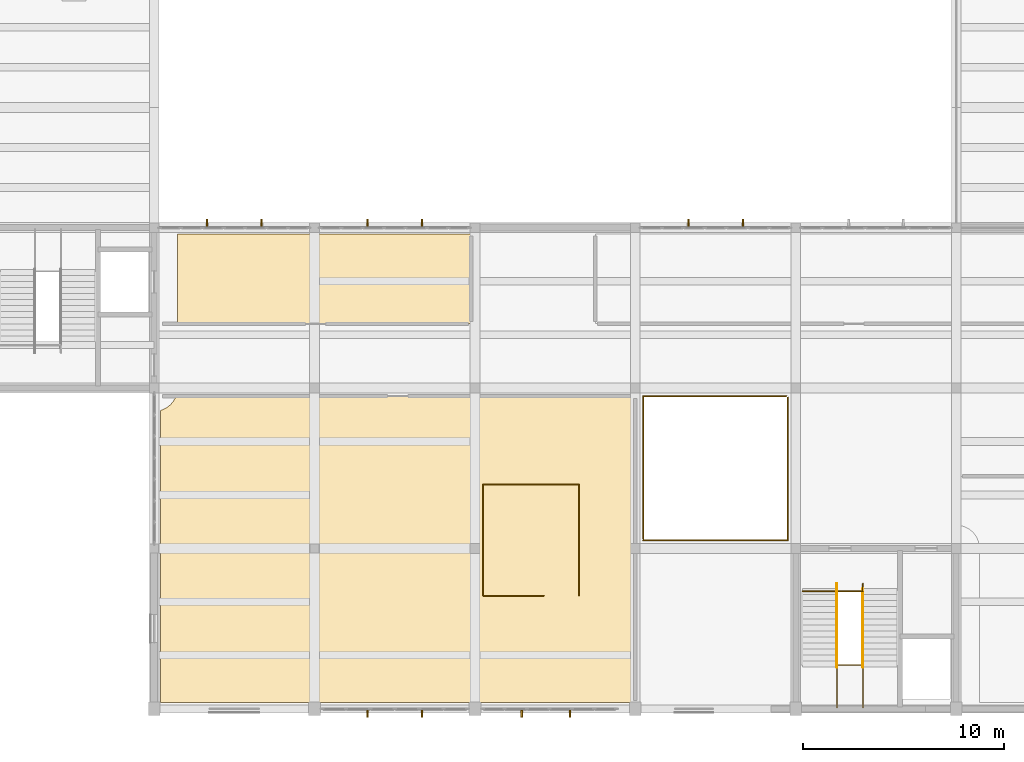
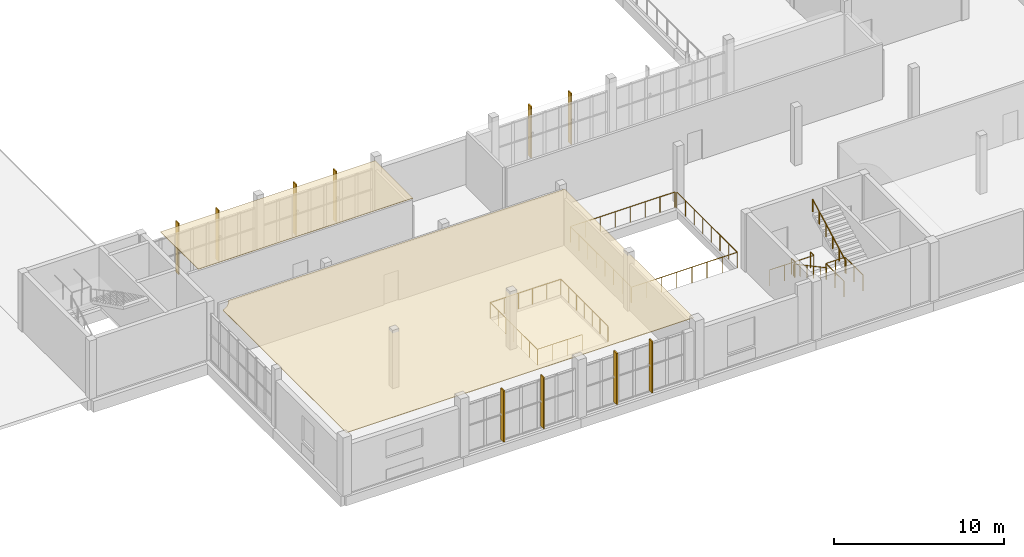
# One storey, part 64 of 70: 10 shading devices, 8 railings, 2 coverings.
"""IFC4 building model written with IfcOpenShell, lengths in metres."""

from ifc_helpers import new_model, si_unit, direction, frame, origin, origin_2d, place, context, subcontext, project, spatial, polyline, rectangle, circle, outline, extrude, material, layer, layer_set, type_object, element, save


model = new_model("IFC4")

# Units and contexts
model_context = context("Model", 3, precision=1e-05, world=origin(), true_north=direction((0.0, 1.0)))
body_context = subcontext(model_context, "Body", "Model", "MODEL_VIEW")
ifc_project = project(units=[si_unit("LENGTHUNIT", "METRE"), si_unit("AREAUNIT", "SQUARE_METRE"), si_unit("VOLUMEUNIT", "CUBIC_METRE"), si_unit("PLANEANGLEUNIT", "RADIAN"), si_unit("MASSUNIT", "GRAM", prefix="KILO")], contexts=[model_context])

# Site, building, storey
site_placement = place(None, origin())
site = spatial("IfcSite", under=ifc_project, at=site_placement, CompositionType="ELEMENT")
building_placement = place(site_placement, origin())
building = spatial("IfcBuilding", under=site, at=building_placement, Name="Solvane Community Centre", CompositionType="ELEMENT")
storey_placement = place(building_placement, frame((0.0, 0.0, 9.60009765625)))
storey = spatial("IfcBuildingStorey", under=building, at=storey_placement, Name="L02", CompositionType="ELEMENT", Elevation=9.60009765625)

# Coverings
ifc_material_1 = material(Name="Acoustic timber slat ceiling", Category="wood")
ifc_layer = layer(ifc_material_1, 0.0400390625)
ifc_layer_set = layer_set([ifc_layer], Name="Acoustic timber slat ceiling")
covering_type = type_object("IfcCoveringType", Name="Acoustic Timber Slat Suspended Ceiling", PredefinedType="CEILING", material=ifc_layer_set)
covering_1_placement = place(storey_placement, frame((0.0, 0.0, 3.954833984375)))
element("IfcCovering", 1, at=covering_1_placement, inside=storey, type_object=covering_type, Name="Acoustic Ceiling L02-01", PredefinedType="CEILING", context=body_context, shape_type="SweptSolid", body=[
    extrude(outline(polyline([(91.97998046875, 21.580078125), (91.97998046875, 6.320068359375), (68.320068359375, 6.320068359375), (68.320068359375, 20.885986328125), (68.38330078125, 20.9052734375), (68.398193359375, 20.91064453125), (68.48876953125, 20.9482421875), (68.5029296875, 20.954833984375), (68.589599609375, 21.001220703125), (68.60302734375, 21.00927734375), (68.6845703125, 21.063720703125), (68.697265625, 21.072998046875), (68.773193359375, 21.135498046875), (68.78466796875, 21.14599609375), (68.85400390625, 21.21533203125), (68.864501953125, 21.226806640625), (68.927001953125, 21.302734375), (68.936279296875, 21.3154296875), (68.99072265625, 21.39697265625), (68.998779296875, 21.410400390625), (69.045166015625, 21.4970703125), (69.0517578125, 21.51123046875), (69.080322265625, 21.580078125), (91.97998046875, 21.580078125)])), origin(), (0.0, 0.0, 1.0), 0.0400390625),
])
covering_2_placement = place(storey_placement, frame((0.0, 0.0, 3.954833984375)))
element("IfcCovering", 2, at=covering_2_placement, inside=storey, type_object=covering_type, Name="Acoustic Ceiling L02-05", PredefinedType="CEILING", context=body_context, shape_type="SweptSolid", body=[
    extrude(outline(polyline([(83.780029296875, 29.679931640625), (83.780029296875, 25.219970703125), (69.159912109375, 25.219970703125), (69.159912109375, 29.679931640625), (83.780029296875, 29.679931640625)])), origin(), (0.0, 0.0, 1.0), 0.0400390625),
])

# Shading devices
ifc_material_2 = material(Name="Anodised bronze aluminium AW-6063 T6", Category="aluminium")
shading_device_type = type_object("IfcShadingDeviceType", Name="Art Deco Bronze Solar Fin 80x360", PredefinedType="USERDEFINED", material=ifc_material_2)
shading_device_1_placement = place(storey_placement, frame((88.741455078125, 5.760009765625, 0.14990234375), z_axis=(0.0, 0.0, 1.0), x_axis=(-1.0, 0.0, 0.0)))
element("IfcShadingDevice", 3, at=shading_device_1_placement, inside=storey, type_object=shading_device_type, Name="Solar Brise-Soleil Fin 75", ObjectType="Solar Brise-Soleil Fin 75", PredefinedType="USERDEFINED", context=body_context, shape_type="SweptSolid", body=[
    extrude(rectangle(XDim=0.080078125, YDim=0.360107421875, at=origin_2d()), origin(), (0.0, 0.0, 1.0), 3.679931640625),
])
shading_device_2_placement = place(storey_placement, frame((86.33544921875, 5.760009765625, 0.14990234375), z_axis=(0.0, 0.0, 1.0), x_axis=(-1.0, 0.0, 0.0)))
element("IfcShadingDevice", 4, at=shading_device_2_placement, inside=storey, type_object=shading_device_type, Name="Solar Brise-Soleil Fin 76", ObjectType="Solar Brise-Soleil Fin 76", PredefinedType="USERDEFINED", context=body_context, shape_type="SweptSolid", body=[
    extrude(rectangle(XDim=0.080078125, YDim=0.360107421875, at=origin_2d()), origin(), (0.0, 0.0, 1.0), 3.679931640625),
])
shading_device_3_placement = place(storey_placement, frame((81.360107421875, 5.760009765625, 0.14990234375), z_axis=(0.0, 0.0, 1.0), x_axis=(-1.0, 0.0, 0.0)))
element("IfcShadingDevice", 5, at=shading_device_3_placement, inside=storey, type_object=shading_device_type, Name="Solar Brise-Soleil Fin 77", ObjectType="Solar Brise-Soleil Fin 77", PredefinedType="USERDEFINED", context=body_context, shape_type="SweptSolid", body=[
    extrude(rectangle(XDim=0.080078125, YDim=0.360107421875, at=origin_2d()), origin(), (0.0, 0.0, 1.0), 3.679931640625),
])
shading_device_4_placement = place(storey_placement, frame((78.639892578125, 5.760009765625, 0.14990234375), z_axis=(0.0, 0.0, 1.0), x_axis=(-1.0, 0.0, 0.0)))
element("IfcShadingDevice", 6, at=shading_device_4_placement, inside=storey, type_object=shading_device_type, Name="Solar Brise-Soleil Fin 78", ObjectType="Solar Brise-Soleil Fin 78", PredefinedType="USERDEFINED", context=body_context, shape_type="SweptSolid", body=[
    extrude(rectangle(XDim=0.080078125, YDim=0.360107421875, at=origin_2d()), origin(), (0.0, 0.0, 1.0), 3.679931640625),
])
shading_device_5_placement = place(storey_placement, frame((70.639892578125, 30.239990234375, 0.14990234375), z_axis=(0.0, 0.0, 1.0), x_axis=(1.0, 0.0, 0.0)))
element("IfcShadingDevice", 7, at=shading_device_5_placement, inside=storey, type_object=shading_device_type, Name="Solar Brise-Soleil Fin 79", ObjectType="Solar Brise-Soleil Fin 79", PredefinedType="USERDEFINED", context=body_context, shape_type="SweptSolid", body=[
    extrude(rectangle(XDim=0.080078125, YDim=0.360107421875, at=origin_2d()), origin(), (0.0, 0.0, 1.0), 3.679931640625),
])
shading_device_6_placement = place(storey_placement, frame((73.360107421875, 30.239990234375, 0.14990234375), z_axis=(0.0, 0.0, 1.0), x_axis=(1.0, 0.0, 0.0)))
element("IfcShadingDevice", 8, at=shading_device_6_placement, inside=storey, type_object=shading_device_type, Name="Solar Brise-Soleil Fin 80", ObjectType="Solar Brise-Soleil Fin 80", PredefinedType="USERDEFINED", context=body_context, shape_type="SweptSolid", body=[
    extrude(rectangle(XDim=0.080078125, YDim=0.360107421875, at=origin_2d()), origin(), (0.0, 0.0, 1.0), 3.679931640625),
])
shading_device_7_placement = place(storey_placement, frame((78.639892578125, 30.239990234375, 0.14990234375), z_axis=(0.0, 0.0, 1.0), x_axis=(1.0, 0.0, 0.0)))
element("IfcShadingDevice", 9, at=shading_device_7_placement, inside=storey, type_object=shading_device_type, Name="Solar Brise-Soleil Fin 81", ObjectType="Solar Brise-Soleil Fin 81", PredefinedType="USERDEFINED", context=body_context, shape_type="SweptSolid", body=[
    extrude(rectangle(XDim=0.080078125, YDim=0.360107421875, at=origin_2d()), origin(), (0.0, 0.0, 1.0), 3.679931640625),
])
shading_device_8_placement = place(storey_placement, frame((81.360107421875, 30.239990234375, 0.14990234375), z_axis=(0.0, 0.0, 1.0), x_axis=(1.0, 0.0, 0.0)))
element("IfcShadingDevice", 10, at=shading_device_8_placement, inside=storey, type_object=shading_device_type, Name="Solar Brise-Soleil Fin 82", ObjectType="Solar Brise-Soleil Fin 82", PredefinedType="USERDEFINED", context=body_context, shape_type="SweptSolid", body=[
    extrude(rectangle(XDim=0.080078125, YDim=0.360107421875, at=origin_2d()), origin(), (0.0, 0.0, 1.0), 3.679931640625),
])
shading_device_9_placement = place(storey_placement, frame((94.639892578125, 30.239990234375, 0.14990234375), z_axis=(0.0, 0.0, 1.0), x_axis=(1.0, 0.0, 0.0)))
element("IfcShadingDevice", 11, at=shading_device_9_placement, inside=storey, type_object=shading_device_type, Name="Solar Brise-Soleil Fin 83", ObjectType="Solar Brise-Soleil Fin 83", PredefinedType="USERDEFINED", context=body_context, shape_type="SweptSolid", body=[
    extrude(rectangle(XDim=0.080078125, YDim=0.360107421875, at=origin_2d()), origin(), (0.0, 0.0, 1.0), 3.679931640625),
])
shading_device_10_placement = place(storey_placement, frame((97.360107421875, 30.239990234375, 0.14990234375), z_axis=(0.0, 0.0, 1.0), x_axis=(1.0, 0.0, 0.0)))
element("IfcShadingDevice", 12, at=shading_device_10_placement, inside=storey, type_object=shading_device_type, Name="Solar Brise-Soleil Fin 84", ObjectType="Solar Brise-Soleil Fin 84", PredefinedType="USERDEFINED", context=body_context, shape_type="SweptSolid", body=[
    extrude(rectangle(XDim=0.080078125, YDim=0.360107421875, at=origin_2d()), origin(), (0.0, 0.0, 1.0), 3.679931640625),
])

# Railings
railing_type_1 = type_object("IfcRailingType", Name="Interior Gallery & Stair Well Guard 1150mm", PredefinedType="BALUSTRADE", material=ifc_material_2)
railing_1_placement = place(storey_placement, frame((102.050048828125, 6.06005859375, 2.099853515625)))
element("IfcRailing", 13, at=railing_1_placement, inside=storey, type_object=railing_type_1, Name="Railing GR-L02-030", PredefinedType="BALUSTRADE", context=body_context, shape_type="SweptSolid", body=[
    extrude(circle(Radius=0.02392578125, at=origin_2d()), frame((0.0, 0.0, 1.1259765625), z_axis=(0.0, 1.0, 0.0), x_axis=(-1.0, 0.0, 0.0)), (0.0, 0.0, 1.0), 2.119873046875),
    extrude(circle(Radius=0.02392578125, at=origin_2d()), frame((0.0, 2.119873046875, 1.1259765625), z_axis=(1.0, 0.0, 0.0), x_axis=(0.0, 1.0, 0.0)), (0.0, 0.0, 1.0), 1.300048828125),
    extrude(circle(Radius=0.02392578125, at=origin_2d()), frame((1.300048828125, 2.119873046875, 1.1259765625), z_axis=(0.0, -1.0, 0.0), x_axis=(1.0, 0.0, 0.0)), (0.0, 0.0, 1.0), 2.119873046875),
    extrude(circle(Radius=0.02099609375, at=origin_2d()), origin(), (0.0, 0.0, 1.0), 1.101806640625),
    extrude(circle(Radius=0.02099609375, at=origin_2d()), frame((0.0, 1.06005859375, 0.0)), (0.0, 0.0, 1.0), 1.101806640625),
    extrude(circle(Radius=0.02099609375, at=origin_2d()), frame((0.0, 2.119873046875, 0.0)), (0.0, 0.0, 1.0), 1.101806640625),
    extrude(circle(Radius=0.02099609375, at=origin_2d()), frame((0.64990234375, 2.119873046875, 0.0)), (0.0, 0.0, 1.0), 1.101806640625),
    extrude(circle(Radius=0.02099609375, at=origin_2d()), frame((1.300048828125, 2.119873046875, 0.0)), (0.0, 0.0, 1.0), 1.101806640625),
    extrude(circle(Radius=0.02099609375, at=origin_2d()), frame((1.300048828125, 1.06005859375, 0.0)), (0.0, 0.0, 1.0), 1.101806640625),
    extrude(circle(Radius=0.02099609375, at=origin_2d()), frame((1.300048828125, 0.0, 0.0)), (0.0, 0.0, 1.0), 1.101806640625),
])
railing_2_placement = place(storey_placement, frame((100.340087890625, 11.860107421875, 0.0)))
element("IfcRailing", 14, at=railing_2_placement, inside=storey, type_object=railing_type_1, Name="Railing GR-L02-031", PredefinedType="BALUSTRADE", context=body_context, shape_type="SweptSolid", body=[
    extrude(circle(Radius=0.02392578125, at=origin_2d()), frame((0.0, 0.0, 1.1259765625), z_axis=(1.0, 0.0, 0.0), x_axis=(0.0, 1.0, 0.0)), (0.0, 0.0, 1.0), 3.010009765625),
    extrude(circle(Radius=0.02392578125, at=origin_2d()), frame((3.010009765625, 0.0, 1.1259765625), z_axis=(0.0, 1.0, 0.0), x_axis=(-1.0, 0.0, 0.0)), (0.0, 0.0, 1.0), 0.389892578125),
    extrude(circle(Radius=0.02099609375, at=origin_2d()), origin(), (0.0, 0.0, 1.0), 1.101806640625),
    extrude(circle(Radius=0.02099609375, at=origin_2d()), frame((1.00341796875, 0.0, 0.0)), (0.0, 0.0, 1.0), 1.101806640625),
    extrude(circle(Radius=0.02099609375, at=origin_2d()), frame((2.006591796875, 0.0, 0.0)), (0.0, 0.0, 1.0), 1.101806640625),
    extrude(circle(Radius=0.02099609375, at=origin_2d()), frame((3.010009765625, 0.0, 0.0)), (0.0, 0.0, 1.0), 1.101806640625),
    extrude(circle(Radius=0.02099609375, at=origin_2d()), frame((3.010009765625, 0.389892578125, 0.0)), (0.0, 0.0, 1.0), 1.101806640625),
])
railing_3_placement = place(storey_placement, frame((102.050048828125, 12.25, 0.0)))
element("IfcRailing", 15, at=railing_3_placement, inside=storey, type_object=railing_type_1, Name="Railing GR-L02-032", PredefinedType="BALUSTRADE", context=body_context, shape_type="SweptSolid", body=[
    extrude(circle(Radius=0.02392578125, at=origin_2d()), frame((0.0, 0.0, 1.1259765625), z_axis=(0.0, -1.0, 0.0), x_axis=(1.0, 0.0, 0.0)), (0.0, 0.0, 1.0), 0.389892578125),
    extrude(circle(Radius=0.02099609375, at=origin_2d()), origin(), (0.0, 0.0, 1.0), 1.101806640625),
    extrude(circle(Radius=0.02099609375, at=origin_2d()), frame((0.0, -0.389892578125, 0.0)), (0.0, 0.0, 1.0), 1.101806640625),
])
railing_4_placement = place(storey_placement, frame((87.449951171875, 11.639892578125, 0.0)))
element("IfcRailing", 16, at=railing_4_placement, inside=storey, type_object=railing_type_1, Name="Railing GR-L02-117", PredefinedType="BALUSTRADE", context=body_context, shape_type="SweptSolid", body=[
    extrude(circle(Radius=0.02392578125, at=origin_2d()), frame((0.0, 0.0, 1.1259765625), z_axis=(-1.0, 0.0, 0.0), x_axis=(0.0, -1.0, 0.0)), (0.0, 0.0, 1.0), 3.050048828125),
    extrude(circle(Radius=0.02392578125, at=origin_2d()), frame((-3.050048828125, 0.0, 1.1259765625), z_axis=(0.0, 1.0, 0.0), x_axis=(-1.0, 0.0, 0.0)), (0.0, 0.0, 1.0), 5.56005859375),
    extrude(circle(Radius=0.02392578125, at=origin_2d()), frame((-3.050048828125, 5.56005859375, 1.1259765625), z_axis=(1.0, 0.0, 0.0), x_axis=(0.0, 1.0, 0.0)), (0.0, 0.0, 1.0), 4.800048828125),
    extrude(circle(Radius=0.02392578125, at=origin_2d()), frame((1.75, 5.56005859375, 1.1259765625), z_axis=(0.0, -1.0, 0.0), x_axis=(1.0, 0.0, 0.0)), (0.0, 0.0, 1.0), 5.56005859375),
    extrude(circle(Radius=0.02099609375, at=origin_2d()), origin(), (0.0, 0.0, 1.0), 1.101806640625),
    extrude(circle(Radius=0.02099609375, at=origin_2d()), frame((-1.0166015625, 0.0, 0.0)), (0.0, 0.0, 1.0), 1.101806640625),
    extrude(circle(Radius=0.02099609375, at=origin_2d()), frame((-2.033447265625, 0.0, 0.0)), (0.0, 0.0, 1.0), 1.101806640625),
    extrude(circle(Radius=0.02099609375, at=origin_2d()), frame((-3.050048828125, 0.0, 0.0)), (0.0, 0.0, 1.0), 1.101806640625),
    extrude(circle(Radius=0.02099609375, at=origin_2d()), frame((-3.050048828125, 0.9267578125, 0.0)), (0.0, 0.0, 1.0), 1.101806640625),
    extrude(circle(Radius=0.02099609375, at=origin_2d()), frame((-3.050048828125, 1.853271484375, 0.0)), (0.0, 0.0, 1.0), 1.101806640625),
    extrude(circle(Radius=0.02099609375, at=origin_2d()), frame((-3.050048828125, 2.780029296875, 0.0)), (0.0, 0.0, 1.0), 1.101806640625),
    extrude(circle(Radius=0.02099609375, at=origin_2d()), frame((-3.050048828125, 3.706787109375, 0.0)), (0.0, 0.0, 1.0), 1.101806640625),
    extrude(circle(Radius=0.02099609375, at=origin_2d()), frame((-3.050048828125, 4.63330078125, 0.0)), (0.0, 0.0, 1.0), 1.101806640625),
    extrude(circle(Radius=0.02099609375, at=origin_2d()), frame((-3.050048828125, 5.56005859375, 0.0)), (0.0, 0.0, 1.0), 1.101806640625),
    extrude(circle(Radius=0.02099609375, at=origin_2d()), frame((-2.090087890625, 5.56005859375, 0.0)), (0.0, 0.0, 1.0), 1.101806640625),
    extrude(circle(Radius=0.02099609375, at=origin_2d()), frame((-1.130126953125, 5.56005859375, 0.0)), (0.0, 0.0, 1.0), 1.101806640625),
    extrude(circle(Radius=0.02099609375, at=origin_2d()), frame((-0.169921875, 5.56005859375, 0.0)), (0.0, 0.0, 1.0), 1.101806640625),
    extrude(circle(Radius=0.02099609375, at=origin_2d()), frame((0.7900390625, 5.56005859375, 0.0)), (0.0, 0.0, 1.0), 1.101806640625),
    extrude(circle(Radius=0.02099609375, at=origin_2d()), frame((1.75, 5.56005859375, 0.0)), (0.0, 0.0, 1.0), 1.101806640625),
    extrude(circle(Radius=0.02099609375, at=origin_2d()), frame((1.75, 4.63330078125, 0.0)), (0.0, 0.0, 1.0), 1.101806640625),
    extrude(circle(Radius=0.02099609375, at=origin_2d()), frame((1.75, 3.706787109375, 0.0)), (0.0, 0.0, 1.0), 1.101806640625),
    extrude(circle(Radius=0.02099609375, at=origin_2d()), frame((1.75, 2.780029296875, 0.0)), (0.0, 0.0, 1.0), 1.101806640625),
    extrude(circle(Radius=0.02099609375, at=origin_2d()), frame((1.75, 1.853271484375, 0.0)), (0.0, 0.0, 1.0), 1.101806640625),
    extrude(circle(Radius=0.02099609375, at=origin_2d()), frame((1.75, 0.9267578125, 0.0)), (0.0, 0.0, 1.0), 1.101806640625),
    extrude(circle(Radius=0.02099609375, at=origin_2d()), frame((1.75, 0.0, 0.0)), (0.0, 0.0, 1.0), 1.101806640625),
])
railing_5_placement = place(storey_placement, frame((92.39990234375, 14.39990234375, 0.0)))
element("IfcRailing", 17, at=railing_5_placement, inside=storey, type_object=railing_type_1, Name="Railing GR-L02-141", PredefinedType="BALUSTRADE", context=body_context, shape_type="SweptSolid", body=[
    extrude(circle(Radius=0.02392578125, at=origin_2d()), frame((0.0, 0.0, 1.1259765625), z_axis=(1.0, 0.0, 0.0), x_axis=(0.0, 1.0, 0.0)), (0.0, 0.0, 1.0), 7.2001953125),
    extrude(circle(Radius=0.02392578125, at=origin_2d()), frame((7.2001953125, 0.0, 1.1259765625), z_axis=(0.0, 1.0, 0.0), x_axis=(-1.0, 0.0, 0.0)), (0.0, 0.0, 1.0), 7.1201171875),
    extrude(circle(Radius=0.02099609375, at=origin_2d()), origin(), (0.0, 0.0, 1.0), 1.101806640625),
    extrude(circle(Radius=0.02099609375, at=origin_2d()), frame((1.028564453125, 0.0, 0.0)), (0.0, 0.0, 1.0), 1.101806640625),
    extrude(circle(Radius=0.02099609375, at=origin_2d()), frame((2.05712890625, 0.0, 0.0)), (0.0, 0.0, 1.0), 1.101806640625),
    extrude(circle(Radius=0.02099609375, at=origin_2d()), frame((3.085693359375, 0.0, 0.0)), (0.0, 0.0, 1.0), 1.101806640625),
    extrude(circle(Radius=0.02099609375, at=origin_2d()), frame((4.114501953125, 0.0, 0.0)), (0.0, 0.0, 1.0), 1.101806640625),
    extrude(circle(Radius=0.02099609375, at=origin_2d()), frame((5.14306640625, 0.0, 0.0)), (0.0, 0.0, 1.0), 1.101806640625),
    extrude(circle(Radius=0.02099609375, at=origin_2d()), frame((6.171630859375, 0.0, 0.0)), (0.0, 0.0, 1.0), 1.101806640625),
    extrude(circle(Radius=0.02099609375, at=origin_2d()), frame((7.2001953125, 0.0, 0.0)), (0.0, 0.0, 1.0), 1.101806640625),
    extrude(circle(Radius=0.02099609375, at=origin_2d()), frame((7.2001953125, 1.01708984375, 0.0)), (0.0, 0.0, 1.0), 1.101806640625),
    extrude(circle(Radius=0.02099609375, at=origin_2d()), frame((7.2001953125, 2.034423828125, 0.0)), (0.0, 0.0, 1.0), 1.101806640625),
    extrude(circle(Radius=0.02099609375, at=origin_2d()), frame((7.2001953125, 3.051513671875, 0.0)), (0.0, 0.0, 1.0), 1.101806640625),
    extrude(circle(Radius=0.02099609375, at=origin_2d()), frame((7.2001953125, 4.068603515625, 0.0)), (0.0, 0.0, 1.0), 1.101806640625),
    extrude(circle(Radius=0.02099609375, at=origin_2d()), frame((7.2001953125, 5.085693359375, 0.0)), (0.0, 0.0, 1.0), 1.101806640625),
    extrude(circle(Radius=0.02099609375, at=origin_2d()), frame((7.2001953125, 6.10302734375, 0.0)), (0.0, 0.0, 1.0), 1.101806640625),
    extrude(circle(Radius=0.02099609375, at=origin_2d()), frame((7.2001953125, 7.1201171875, 0.0)), (0.0, 0.0, 1.0), 1.101806640625),
])
railing_6_placement = place(storey_placement, frame((99.52001953125, 21.60009765625, 0.0)))
element("IfcRailing", 18, at=railing_6_placement, inside=storey, type_object=railing_type_1, Name="Railing GR-L02-142", PredefinedType="BALUSTRADE", context=body_context, shape_type="SweptSolid", body=[
    extrude(circle(Radius=0.02392578125, at=origin_2d()), frame((0.0, 0.0, 1.1259765625), z_axis=(-1.0, 0.0, 0.0), x_axis=(0.0, -1.0, 0.0)), (0.0, 0.0, 1.0), 7.1201171875),
    extrude(circle(Radius=0.02392578125, at=origin_2d()), frame((-7.1201171875, 0.0, 1.1259765625), z_axis=(0.0, -1.0, 0.0), x_axis=(1.0, 0.0, 0.0)), (0.0, 0.0, 1.0), 7.1201171875),
    extrude(circle(Radius=0.02099609375, at=origin_2d()), origin(), (0.0, 0.0, 1.0), 1.101806640625),
    extrude(circle(Radius=0.02099609375, at=origin_2d()), frame((-1.01708984375, 0.0, 0.0)), (0.0, 0.0, 1.0), 1.101806640625),
    extrude(circle(Radius=0.02099609375, at=origin_2d()), frame((-2.034423828125, 0.0, 0.0)), (0.0, 0.0, 1.0), 1.101806640625),
    extrude(circle(Radius=0.02099609375, at=origin_2d()), frame((-3.051513671875, 0.0, 0.0)), (0.0, 0.0, 1.0), 1.101806640625),
    extrude(circle(Radius=0.02099609375, at=origin_2d()), frame((-4.068603515625, 0.0, 0.0)), (0.0, 0.0, 1.0), 1.101806640625),
    extrude(circle(Radius=0.02099609375, at=origin_2d()), frame((-5.085693359375, 0.0, 0.0)), (0.0, 0.0, 1.0), 1.101806640625),
    extrude(circle(Radius=0.02099609375, at=origin_2d()), frame((-6.10302734375, 0.0, 0.0)), (0.0, 0.0, 1.0), 1.101806640625),
    extrude(circle(Radius=0.02099609375, at=origin_2d()), frame((-7.1201171875, 0.0, 0.0)), (0.0, 0.0, 1.0), 1.101806640625),
    extrude(circle(Radius=0.02099609375, at=origin_2d()), frame((-7.1201171875, -1.01708984375, 0.0)), (0.0, 0.0, 1.0), 1.101806640625),
    extrude(circle(Radius=0.02099609375, at=origin_2d()), frame((-7.1201171875, -2.034423828125, 0.0)), (0.0, 0.0, 1.0), 1.101806640625),
    extrude(circle(Radius=0.02099609375, at=origin_2d()), frame((-7.1201171875, -3.051513671875, 0.0)), (0.0, 0.0, 1.0), 1.101806640625),
    extrude(circle(Radius=0.02099609375, at=origin_2d()), frame((-7.1201171875, -4.068603515625, 0.0)), (0.0, 0.0, 1.0), 1.101806640625),
    extrude(circle(Radius=0.02099609375, at=origin_2d()), frame((-7.1201171875, -5.085693359375, 0.0)), (0.0, 0.0, 1.0), 1.101806640625),
    extrude(circle(Radius=0.02099609375, at=origin_2d()), frame((-7.1201171875, -6.10302734375, 0.0)), (0.0, 0.0, 1.0), 1.101806640625),
    extrude(circle(Radius=0.02099609375, at=origin_2d()), frame((-7.1201171875, -7.1201171875, 0.0)), (0.0, 0.0, 1.0), 1.101806640625),
])
railing_type_2 = type_object("IfcRailingType", Name="Stair Pitch Handrail 900mm", PredefinedType="HANDRAIL", material=ifc_material_2)
railing_7_placement = place(storey_placement, frame((102.050048828125, 12.0, 0.0)))
element("IfcRailing", 19, at=railing_7_placement, inside=storey, type_object=railing_type_2, Name="Railing HR-L02-028", PredefinedType="HANDRAIL", context=body_context, shape_type="SweptSolid", body=[
    extrude(circle(Radius=0.02392578125, at=origin_2d()), frame((0.0, 0.0, 0.8759765625), z_axis=(0.0, -0.881489763865, 0.472203130232), x_axis=(1.0, 0.0, 0.0)), (0.0, 0.0, 1.0), 4.447021484375),
    extrude(circle(Radius=0.02099609375, at=origin_2d()), origin(), (0.0, 0.0, 1.0), 0.851806640625),
    extrude(circle(Radius=0.02099609375, at=origin_2d()), frame((0.0, -0.783935546875, 0.419921875)), (0.0, 0.0, 1.0), 0.851806640625),
    extrude(circle(Radius=0.02099609375, at=origin_2d()), frame((0.0, -1.56787109375, 0.83984375)), (0.0, 0.0, 1.0), 0.851806640625),
    extrude(circle(Radius=0.02099609375, at=origin_2d()), frame((0.0, -2.35205078125, 1.260009765625)), (0.0, 0.0, 1.0), 0.851806640625),
    extrude(circle(Radius=0.02099609375, at=origin_2d()), frame((0.0, -3.135986328125, 1.679931640625)), (0.0, 0.0, 1.0), 0.851806640625),
    extrude(circle(Radius=0.02099609375, at=origin_2d()), frame((0.0, -3.919921875, 2.099853515625)), (0.0, 0.0, 1.0), 0.851806640625),
])
railing_8_placement = place(storey_placement, frame((103.35009765625, 8.080078125, 2.099853515625)))
element("IfcRailing", 20, at=railing_8_placement, inside=storey, type_object=railing_type_2, Name="Railing HR-L02-029", PredefinedType="HANDRAIL", context=body_context, shape_type="SweptSolid", body=[
    extrude(circle(Radius=0.02392578125, at=origin_2d()), frame((0.0, 0.0, 0.8759765625), z_axis=(0.0, 0.881466911329, 0.472245787945), x_axis=(-1.0, 0.0, 0.0)), (0.0, 0.0, 1.0), 4.447021484375),
    extrude(circle(Radius=0.02099609375, at=origin_2d()), origin(), (0.0, 0.0, 1.0), 0.851806640625),
    extrude(circle(Radius=0.02099609375, at=origin_2d()), frame((0.0, 0.783935546875, 0.419921875)), (0.0, 0.0, 1.0), 0.851806640625),
    extrude(circle(Radius=0.02099609375, at=origin_2d()), frame((0.0, 1.56787109375, 0.840087890625)), (0.0, 0.0, 1.0), 0.851806640625),
    extrude(circle(Radius=0.02099609375, at=origin_2d()), frame((0.0, 2.35205078125, 1.260009765625)), (0.0, 0.0, 1.0), 0.851806640625),
    extrude(circle(Radius=0.02099609375, at=origin_2d()), frame((0.0, 3.135986328125, 1.68017578125)), (0.0, 0.0, 1.0), 0.851806640625),
    extrude(circle(Radius=0.02099609375, at=origin_2d()), frame((0.0, 3.919921875, 2.10009765625)), (0.0, 0.0, 1.0), 0.851806640625),
])

save(model, "model.ifc")
